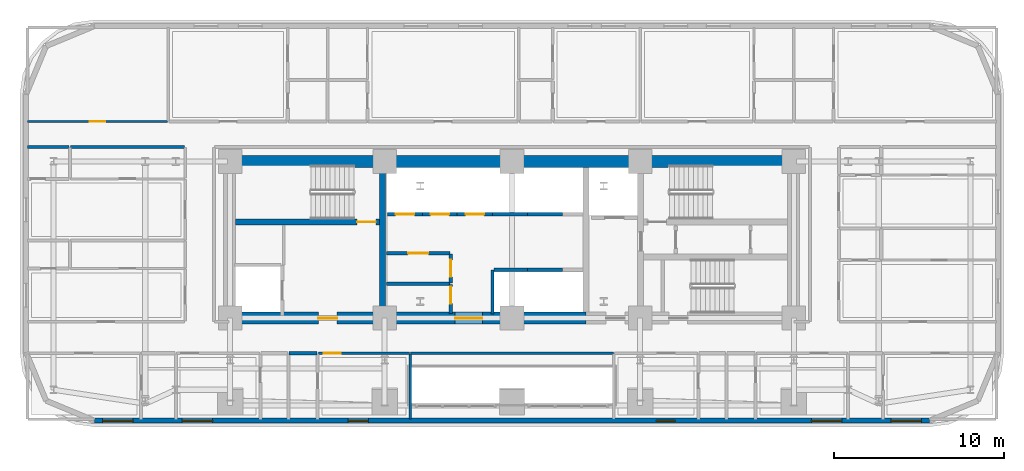
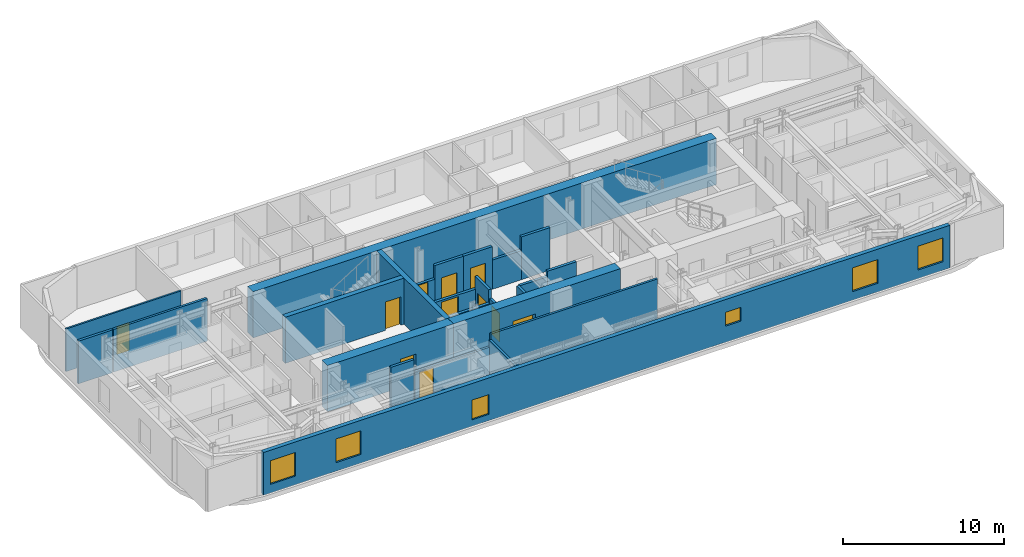
# One storey, part 8 of 15: 25 walls, 11 doors, 6 windows, 17 openings.
"""IFC4 building model written with IfcOpenShell, lengths in metres."""

from ifc_helpers import new_model, si_unit, direction, frame, frame_2d, origin, place, context, subcontext, project, spatial, rectangle, extrude, material, layer, layer_set, type_object, element, fill, save


model = new_model("IFC4")

# Units and contexts
model_context = context("Model", 3, precision=1e-05, world=origin(), true_north=direction((0.0, 1.0)))
body_context = subcontext(model_context, "Body", "Model", "MODEL_VIEW")
ifc_project = project(units=[si_unit("LENGTHUNIT", "METRE"), si_unit("AREAUNIT", "SQUARE_METRE"), si_unit("VOLUMEUNIT", "CUBIC_METRE"), si_unit("PLANEANGLEUNIT", "RADIAN"), si_unit("MASSUNIT", "GRAM", prefix="KILO")], contexts=[model_context])

# Site, building, storey
site_placement = place(None, origin())
site = spatial("IfcSite", under=ifc_project, at=site_placement, CompositionType="ELEMENT")
building_placement = place(site_placement, origin())
building = spatial("IfcBuilding", under=site, at=building_placement, Name="Zarnavel Station Tower", CompositionType="ELEMENT")
storey_placement = place(building_placement, frame((0.0, 0.0, 36.0)))
storey = spatial("IfcBuildingStorey", under=building, at=storey_placement, Name="L09", CompositionType="ELEMENT", Elevation=36.0)

# Wall
ifc_material_1 = material(Name="Concrete C50/60", Category="concrete")
ifc_layer_1 = layer(ifc_material_1, 0.35009765625)
ifc_layer_set_1 = layer_set([ifc_layer_1], Name="CW_350")
wall_type_1 = type_object("IfcWallType", Name="CW_350", PredefinedType="SHEAR", material=ifc_layer_set_1)
wall_1_placement = place(storey_placement, frame((21.179931640625, 28.169921875, 0.0), z_axis=(0.0, 0.0, 1.0), x_axis=(0.0, 1.0, 0.0)))
element("IfcWall", 1, at=wall_1_placement, inside=storey, type_object=wall_type_1, Name="L09 Rear Core Shear Wall DIV-W", PredefinedType="SHEAR", context=body_context, shape_type="SweptSolid", body=[
    extrude(rectangle(XDim=8.530029296875, YDim=0.35009765625, at=frame_2d((4.26513671875, 0.0))), origin(), (0.0, 0.0, 1.0), 3.5),
])

# Wall, opening, door
wall_2_placement = place(storey_placement, frame((21.0048828125, 33.47998046875, 0.0), z_axis=(0.0, 0.0, 1.0), x_axis=(-1.0, 0.0, 0.0)))
wall_2 = element("IfcWall", 2, at=wall_2_placement, inside=storey, type_object=wall_type_1, Name="L09 Rear Core Shear Wall DIV-H1", PredefinedType="SHEAR", context=body_context, shape_type="SweptSolid", body=[
    extrude(rectangle(XDim=8.5048828125, YDim=0.35009765625, at=frame_2d((4.25244140625, 0.0))), origin(), (0.0, 0.0, 1.0), 3.5),
])
opening_1_placement = place(wall_2_placement, frame((0.219970703125, 0.0, 0.0)))
opening_1 = element("IfcOpeningElement", 3, at=opening_1_placement, cuts=wall_2, Name="Opening FD01", PredefinedType="OPENING", context=body_context, shape_type="SweptSolid", body=[
    extrude(rectangle(XDim=1.10009765625, YDim=2.14990234375, at=frame_2d((0.550048828125, 1.074951171875))), frame((0.0, 0.18505859375, 0.0), z_axis=(0.0, -1.0, 0.0), x_axis=(1.0, 0.0, 0.0)), (0.0, 0.0, 1.0), 0.3701171875),
])
ifc_material_2 = material(Name="Painted Galvanised Steel and Hardwood Leaf", Category="steel")
door_type_1 = type_object("IfcDoorType", Name="ID_STAIR_1100", OperationType="NOTDEFINED", PredefinedType="DOOR", material=ifc_material_2)
door_1_placement = place(opening_1_placement, origin())
door_1 = element("IfcDoor", 4, at=door_1_placement, inside=storey, type_object=door_type_1, Name="L09 Stair ST1 Lobby Fire Door", OperationType="SINGLE_SWING_LEFT", OverallHeight=2.14990234375, OverallWidth=1.10009765625, PredefinedType="DOOR", context=body_context, shape_type="SweptSolid", body=[
    extrude(rectangle(XDim=1.10009765625, YDim=2.14990234375, at=frame_2d((0.550048828125, 1.074951171875))), frame((0.0, 0.02490234375, 0.0), z_axis=(0.0, -1.0, 0.0), x_axis=(1.0, 0.0, 0.0)), (0.0, 0.0, 1.0), 0.050048828125),
])
fill(opening_1, door_1)

# Wall
ifc_material_3 = material(Name="Concrete C60/75", Category="concrete")
ifc_layer_2 = layer(ifc_material_3, 0.699951171875)
ifc_layer_set_2 = layer_set([ifc_layer_2], Name="CW_700")
wall_type_2 = type_object("IfcWallType", Name="CW_700", PredefinedType="SHEAR", material=ifc_layer_set_2)
wall_3_placement = place(storey_placement, frame((12.14990234375, 37.050048828125, 0.0), z_axis=(0.0, 0.0, 1.0), x_axis=(1.0, 0.0, 0.0)))
element("IfcWall", 5, at=wall_3_placement, inside=storey, type_object=wall_type_2, Name="L09 Rear Core Shear Wall N", PredefinedType="SHEAR", context=body_context, shape_type="SweptSolid", body=[
    extrude(rectangle(XDim=33.22998046875, YDim=0.699951171875, at=frame_2d((16.614990234375, 0.0))), origin(), (0.0, 0.0, 1.0), 3.5),
])

# Wall, opening, door
wall_4_placement = place(storey_placement, frame((21.179931640625, 27.820068359375, 0.0), z_axis=(0.0, 0.0, 1.0), x_axis=(-1.0, 0.0, 0.0)))
wall_4 = element("IfcWall", 6, at=wall_4_placement, inside=storey, type_object=wall_type_2, Name="L09 Rear Core Shear Wall S-W", PredefinedType="SHEAR", context=body_context, shape_type="SweptSolid", body=[
    extrude(rectangle(XDim=9.030029296875, YDim=0.699951171875, at=frame_2d((4.51513671875, 0.0))), origin(), (0.0, 0.0, 1.0), 3.5),
])
opening_2_placement = place(wall_4_placement, frame((2.679931640625, 0.0, 0.0)))
opening_2 = element("IfcOpeningElement", 7, at=opening_2_placement, cuts=wall_4, Name="Opening FD01", PredefinedType="OPENING", context=body_context, shape_type="SweptSolid", body=[
    extrude(rectangle(XDim=1.10009765625, YDim=2.14990234375, at=frame_2d((0.550048828125, 1.074951171875))), frame((0.0, 0.35986328125, 0.0), z_axis=(0.0, -1.0, 0.0), x_axis=(1.0, 0.0, 0.0)), (0.0, 0.0, 1.0), 0.719970703125),
])
door_2_placement = place(opening_2_placement, origin())
door_2 = element("IfcDoor", 8, at=door_2_placement, inside=storey, type_object=door_type_1, Name="L09 West Firefighting Lobby Door", OperationType="SINGLE_SWING_RIGHT", OverallHeight=2.14990234375, OverallWidth=1.10009765625, PredefinedType="DOOR", context=body_context, shape_type="SweptSolid", body=[
    extrude(rectangle(XDim=1.10009765625, YDim=2.14990234375, at=frame_2d((0.550048828125, 1.074951171875))), frame((0.0, 0.02490234375, 0.0), z_axis=(0.0, -1.0, 0.0), x_axis=(1.0, 0.0, 0.0)), (0.0, 0.0, 1.0), 0.050048828125),
])
fill(opening_2, door_2)

wall_5_placement = place(storey_placement, frame((33.14990234375, 27.820068359375, 0.0), z_axis=(0.0, 0.0, 1.0), x_axis=(-1.0, 0.0, 0.0)))
wall_5 = element("IfcWall", 9, at=wall_5_placement, inside=storey, type_object=wall_type_2, Name="L09 Rear Core Shear Wall S-M", PredefinedType="SHEAR", context=body_context, shape_type="SweptSolid", body=[
    extrude(rectangle(XDim=11.969970703125, YDim=0.699951171875, at=frame_2d((5.98486328125, 0.0))), origin(), (0.0, 0.0, 1.0), 3.5),
])
opening_3_placement = place(wall_5_placement, frame((6.10009765625, 0.0, 0.0)))
opening_3 = element("IfcOpeningElement", 10, at=opening_3_placement, cuts=wall_5, Name="Opening ID03", PredefinedType="OPENING", context=body_context, shape_type="SweptSolid", body=[
    extrude(rectangle(XDim=1.60009765625, YDim=2.199951171875, at=frame_2d((0.800048828125, 1.10009765625))), frame((0.0, 0.35986328125, 0.0), z_axis=(0.0, -1.0, 0.0), x_axis=(1.0, 0.0, 0.0)), (0.0, 0.0, 1.0), 0.719970703125),
])
ifc_material_4 = material(Name="Painted Galvanised Steel and Hardwood Leaf", Category="steel")
door_type_2 = type_object("IfcDoorType", Name="ID_PUBLIC_1600", OperationType="DOUBLE_DOOR_SINGLE_SWING", PredefinedType="DOOR", material=ifc_material_4)
door_3_placement = place(opening_3_placement, origin())
door_3 = element("IfcDoor", 11, at=door_3_placement, inside=storey, type_object=door_type_2, Name="L09 Passenger Lift Lobby Double Door", OperationType="SINGLE_SWING_LEFT", OverallHeight=2.199951171875, OverallWidth=1.60009765625, PredefinedType="DOOR", context=body_context, shape_type="SweptSolid", body=[
    extrude(rectangle(XDim=1.60009765625, YDim=2.199951171875, at=frame_2d((0.800048828125, 1.10009765625))), frame((0.0, 0.02490234375, 0.0), z_axis=(0.0, -1.0, 0.0), x_axis=(1.0, 0.0, 0.0)), (0.0, 0.0, 1.0), 0.050048828125),
])
fill(opening_3, door_3)

# Wall, openings, windows
ifc_material_5 = material(Name="Precast concrete C45/55 (Dark Basalt Finish)", Category="masonry")
ifc_layer_3 = layer(ifc_material_5, 0.300048828125)
ifc_layer_set_3 = layer_set([ifc_layer_3], Name="EW_BASALT_300")
wall_type_3 = type_object("IfcWallType", Name="EW_BASALT_300", PredefinedType="SOLIDWALL", material=ifc_layer_set_3)
wall_6_placement = place(storey_placement, frame((53.39990234375, 21.780029296875, 0.0), z_axis=(0.0, 0.0, 1.0), x_axis=(-1.0, 0.0, 0.0)))
wall_6 = element("IfcWall", 12, at=wall_6_placement, inside=storey, type_object=wall_type_3, Name="L09 Exterior Basalt Masonry Frame Wall 12", PredefinedType="SOLIDWALL", context=body_context, shape_type="SweptSolid", body=[
    extrude(rectangle(XDim=49.199951171875, YDim=0.300048828125, at=frame_2d((24.60009765625, 0.0))), origin(), (0.0, 0.0, 1.0), 3.239990234375),
])
opening_4_placement = place(wall_6_placement, frame((46.9150390625, 0.0, 0.64990234375)))
opening_4 = element("IfcOpeningElement", 13, at=opening_4_placement, cuts=wall_6, Name="Opening WN02", PredefinedType="OPENING", context=body_context, shape_type="SweptSolid", body=[
    extrude(rectangle(XDim=1.800048828125, YDim=1.800048828125, at=frame_2d((0.89990234375, 0.89990234375))), frame((0.0, 0.159912109375, 0.0), z_axis=(0.0, -1.0, 0.0), x_axis=(1.0, 0.0, 0.0)), (0.0, 0.0, 1.0), 0.320068359375),
])
opening_5_placement = place(wall_6_placement, frame((42.227294921875, 0.0, 0.64990234375)))
opening_5 = element("IfcOpeningElement", 14, at=opening_5_placement, cuts=wall_6, Name="Opening WN02", PredefinedType="OPENING", context=body_context, shape_type="SweptSolid", body=[
    extrude(rectangle(XDim=1.800048828125, YDim=1.800048828125, at=frame_2d((0.89990234375, 0.89990234375))), frame((0.0, 0.159912109375, 0.0), z_axis=(0.0, -1.0, 0.0), x_axis=(1.0, 0.0, 0.0)), (0.0, 0.0, 1.0), 0.320068359375),
])
opening_6_placement = place(wall_6_placement, frame((33.054931640625, 0.0, 0.47998046875)))
opening_6 = element("IfcOpeningElement", 15, at=opening_6_placement, cuts=wall_6, Name="Opening WN08", PredefinedType="OPENING", context=body_context, shape_type="SweptSolid", body=[
    extrude(rectangle(XDim=1.199951171875, YDim=1.5, at=frame_2d((0.60009765625, 0.75))), frame((0.0, 0.159912109375, 0.0), z_axis=(0.0, -1.0, 0.0), x_axis=(1.0, 0.0, 0.0)), (0.0, 0.0, 1.0), 0.320068359375),
])
opening_7_placement = place(wall_6_placement, frame((14.9951171875, 0.0, 1.219970703125)))
opening_7 = element("IfcOpeningElement", 16, at=opening_7_placement, cuts=wall_6, Name="Opening WN09", PredefinedType="OPENING", context=body_context, shape_type="SweptSolid", body=[
    extrude(rectangle(XDim=1.10009765625, YDim=1.050048828125, at=frame_2d((0.550048828125, 0.52490234375))), frame((0.0, 0.159912109375, 0.0), z_axis=(0.0, -1.0, 0.0), x_axis=(1.0, 0.0, 0.0)), (0.0, 0.0, 1.0), 0.320068359375),
])
opening_8_placement = place(wall_6_placement, frame((5.172607421875, 0.0, 0.64990234375)))
opening_8 = element("IfcOpeningElement", 17, at=opening_8_placement, cuts=wall_6, Name="Opening WN02", PredefinedType="OPENING", context=body_context, shape_type="SweptSolid", body=[
    extrude(rectangle(XDim=1.800048828125, YDim=1.800048828125, at=frame_2d((0.89990234375, 0.89990234375))), frame((0.0, 0.159912109375, 0.0), z_axis=(0.0, -1.0, 0.0), x_axis=(1.0, 0.0, 0.0)), (0.0, 0.0, 1.0), 0.320068359375),
])
opening_9_placement = place(wall_6_placement, frame((0.485107421875, 0.0, 0.64990234375)))
opening_9 = element("IfcOpeningElement", 18, at=opening_9_placement, cuts=wall_6, Name="Opening WN02", PredefinedType="OPENING", context=body_context, shape_type="SweptSolid", body=[
    extrude(rectangle(XDim=1.800048828125, YDim=1.800048828125, at=frame_2d((0.89990234375, 0.89990234375))), frame((0.0, 0.159912109375, 0.0), z_axis=(0.0, -1.0, 0.0), x_axis=(1.0, 0.0, 0.0)), (0.0, 0.0, 1.0), 0.320068359375),
])
ifc_material_6 = material(Name="Thermally Broken Black Aluminium and Low-E Dark Glass", Category="aluminium")
window_type_1 = type_object("IfcWindowType", Name="WN_1100x1050", PartitioningType="SINGLE_PANEL", PredefinedType="WINDOW", material=ifc_material_6)
window_1_placement = place(opening_7_placement, origin())
window_1 = element("IfcWindow", 19, at=window_1_placement, inside=storey, type_object=window_type_1, Name="L09 Recessed Facade Window 04", OverallHeight=1.050048828125, OverallWidth=1.10009765625, PartitioningType="SINGLE_PANEL", PredefinedType="WINDOW", context=body_context, shape_type="SweptSolid", body=[
    extrude(rectangle(XDim=1.10009765625, YDim=1.050048828125, at=frame_2d((0.550048828125, 0.52490234375))), frame((0.0, 0.030029296875, 0.0), z_axis=(0.0, -1.0, 0.0), x_axis=(1.0, 0.0, 0.0)), (0.0, 0.0, 1.0), 0.06005859375),
])
fill(opening_7, window_1)
ifc_material_7 = material(Name="Thermally Broken Black Aluminium and Low-E Dark Glass", Category="aluminium")
window_type_2 = type_object("IfcWindowType", Name="WN_1200x1500", PartitioningType="SINGLE_PANEL", PredefinedType="WINDOW", material=ifc_material_7)
window_2_placement = place(opening_6_placement, origin())
window_2 = element("IfcWindow", 20, at=window_2_placement, inside=storey, type_object=window_type_2, Name="L09 Recessed Facade Window 03", OverallHeight=1.5, OverallWidth=1.199951171875, PartitioningType="SINGLE_PANEL", PredefinedType="WINDOW", context=body_context, shape_type="SweptSolid", body=[
    extrude(rectangle(XDim=1.199951171875, YDim=1.5, at=frame_2d((0.60009765625, 0.75))), frame((0.0, 0.030029296875, 0.0), z_axis=(0.0, -1.0, 0.0), x_axis=(1.0, 0.0, 0.0)), (0.0, 0.0, 1.0), 0.06005859375),
])
fill(opening_6, window_2)
ifc_material_8 = material(Name="Thermally Broken Black Aluminium and Low-E Dark Glass", Category="aluminium")
window_type_3 = type_object("IfcWindowType", Name="WN_1800x1800", PartitioningType="DOUBLE_PANEL_VERTICAL", PredefinedType="WINDOW", material=ifc_material_8)
window_3_placement = place(opening_4_placement, origin())
window_3 = element("IfcWindow", 21, at=window_3_placement, inside=storey, type_object=window_type_3, Name="L09 Recessed Facade Window 01", OverallHeight=1.800048828125, OverallWidth=1.800048828125, PartitioningType="SINGLE_PANEL", PredefinedType="WINDOW", context=body_context, shape_type="SweptSolid", body=[
    extrude(rectangle(XDim=1.800048828125, YDim=1.800048828125, at=frame_2d((0.89990234375, 0.89990234375))), frame((0.0, 0.030029296875, 0.0), z_axis=(0.0, -1.0, 0.0), x_axis=(1.0, 0.0, 0.0)), (0.0, 0.0, 1.0), 0.06005859375),
])
fill(opening_4, window_3)
window_4_placement = place(opening_5_placement, origin())
window_4 = element("IfcWindow", 22, at=window_4_placement, inside=storey, type_object=window_type_3, Name="L09 Recessed Facade Window 02", OverallHeight=1.800048828125, OverallWidth=1.800048828125, PartitioningType="SINGLE_PANEL", PredefinedType="WINDOW", context=body_context, shape_type="SweptSolid", body=[
    extrude(rectangle(XDim=1.800048828125, YDim=1.800048828125, at=frame_2d((0.89990234375, 0.89990234375))), frame((0.0, 0.030029296875, 0.0), z_axis=(0.0, -1.0, 0.0), x_axis=(1.0, 0.0, 0.0)), (0.0, 0.0, 1.0), 0.06005859375),
])
fill(opening_5, window_4)
window_5_placement = place(opening_8_placement, origin())
window_5 = element("IfcWindow", 23, at=window_5_placement, inside=storey, type_object=window_type_3, Name="L09 Recessed Facade Window 05", OverallHeight=1.800048828125, OverallWidth=1.800048828125, PartitioningType="SINGLE_PANEL", PredefinedType="WINDOW", context=body_context, shape_type="SweptSolid", body=[
    extrude(rectangle(XDim=1.800048828125, YDim=1.800048828125, at=frame_2d((0.89990234375, 0.89990234375))), frame((0.0, 0.030029296875, 0.0), z_axis=(0.0, -1.0, 0.0), x_axis=(1.0, 0.0, 0.0)), (0.0, 0.0, 1.0), 0.06005859375),
])
fill(opening_8, window_5)
window_6_placement = place(opening_9_placement, origin())
window_6 = element("IfcWindow", 24, at=window_6_placement, inside=storey, type_object=window_type_3, Name="L09 Recessed Facade Window 06", OverallHeight=1.800048828125, OverallWidth=1.800048828125, PartitioningType="SINGLE_PANEL", PredefinedType="WINDOW", context=body_context, shape_type="SweptSolid", body=[
    extrude(rectangle(XDim=1.800048828125, YDim=1.800048828125, at=frame_2d((0.89990234375, 0.89990234375))), frame((0.0, 0.030029296875, 0.0), z_axis=(0.0, -1.0, 0.0), x_axis=(1.0, 0.0, 0.0)), (0.0, 0.0, 1.0), 0.06005859375),
])
fill(opening_9, window_6)

# Wall, opening, door
ifc_material_9 = material(Name="Gypsum Twin-Stud Acoustic Fire Partition", Category="concrete")
ifc_layer_4 = layer(ifc_material_9, 0.159912109375)
ifc_layer_set_4 = layer_set([ifc_layer_4], Name="PT_DEMISE_160")
wall_type_4 = type_object("IfcWallType", Name="PT_DEMISE_160", PredefinedType="PARTITIONING", material=ifc_layer_set_4)
wall_7_placement = place(storey_placement, frame((17.389892578125, 25.75, 0.0), z_axis=(0.0, 0.0, 1.0), x_axis=(1.0, 0.0, 0.0)))
wall_7 = element("IfcWall", 25, at=wall_7_placement, inside=storey, type_object=wall_type_4, Name="L09 Partition COR-S-HW3R", PredefinedType="PARTITIONING", context=body_context, shape_type="SweptSolid", body=[
    extrude(rectangle(XDim=5.3701171875, YDim=0.159912109375, at=frame_2d((2.68505859375, 0.0))), origin(), (0.0, 0.0, 1.0), 2.280029296875),
])
opening_10_placement = place(wall_7_placement, frame((0.310302734375, 0.0, 0.0)))
opening_10 = element("IfcOpeningElement", 26, at=opening_10_placement, cuts=wall_7, Name="Opening FD02", PredefinedType="OPENING", context=body_context, shape_type="SweptSolid", body=[
    extrude(rectangle(XDim=1.0, YDim=2.14990234375, at=frame_2d((0.5, 1.074951171875))), frame((0.0, 0.08984375, 0.0), z_axis=(0.0, -1.0, 0.0), x_axis=(1.0, 0.0, 0.0)), (0.0, 0.0, 1.0), 0.179931640625),
])
ifc_material_10 = material(Name="Painted Galvanised Steel and Hardwood Leaf", Category="steel")
door_type_3 = type_object("IfcDoorType", Name="ID_ENTRY_1000", OperationType="NOTDEFINED", PredefinedType="DOOR", material=ifc_material_10)
door_4_placement = place(opening_10_placement, origin())
door_4 = element("IfcDoor", 27, at=door_4_placement, inside=storey, type_object=door_type_3, Name="L09 Door COR-S-HW3R", OperationType="SINGLE_SWING_RIGHT", OverallHeight=2.14990234375, OverallWidth=1.0, PredefinedType="DOOR", context=body_context, shape_type="SweptSolid", body=[
    extrude(rectangle(XDim=1.0, YDim=2.14990234375, at=frame_2d((0.5, 1.074951171875))), frame((0.0, 0.02490234375, 0.0), z_axis=(0.0, -1.0, 0.0), x_axis=(1.0, 0.0, 0.0)), (0.0, 0.0, 1.0), 0.050048828125),
])
fill(opening_10, door_4)

# Walls
wall_8_placement = place(storey_placement, frame((2.800048828125, 37.89990234375, 0.0), z_axis=(0.0, 0.0, 1.0), x_axis=(1.0, 0.0, 0.0)))
element("IfcWall", 28, at=wall_8_placement, inside=storey, type_object=wall_type_4, Name="L09 Partition COR-N-FNW2S", PredefinedType="PARTITIONING", context=body_context, shape_type="SweptSolid", body=[
    extrude(rectangle(XDim=6.7099609375, YDim=0.159912109375, at=frame_2d((3.35498046875, 0.0))), origin(), (0.0, 0.0, 1.0), 3.239990234375),
])
wall_9_placement = place(storey_placement, frame((22.830078125, 25.75, 0.0), z_axis=(0.0, 0.0, 1.0), x_axis=(1.0, 0.0, 0.0)))
element("IfcWall", 29, at=wall_9_placement, inside=storey, type_object=wall_type_4, Name="L09 Enclosure Wall COR-S", PredefinedType="PARTITIONING", context=body_context, shape_type="SweptSolid", body=[
    extrude(rectangle(XDim=11.93994140625, YDim=0.159912109375, at=frame_2d((5.969970703125, 0.0))), origin(), (0.0, 0.0, 1.0), 3.239990234375),
])
wall_10_placement = place(storey_placement, frame((22.800048828125, 21.889892578125, 0.0), z_axis=(0.0, 0.0, 1.0), x_axis=(0.0, 1.0, 0.0)))
element("IfcWall", 30, at=wall_10_placement, inside=storey, type_object=wall_type_4, Name="L09 Enclosure Wall HW3R", PredefinedType="PARTITIONING", context=body_context, shape_type="SweptSolid", body=[
    extrude(rectangle(XDim=3.830078125, YDim=0.159912109375, at=frame_2d((1.9150390625, 0.0))), origin(), (0.0, 0.0, 1.0), 2.820068359375),
])

# Wall, opening, door
ifc_material_11 = material(Name="Gypsum Metal-Stud Interior Partition", Category="concrete")
ifc_layer_5 = layer(ifc_material_11, 0.1201171875)
ifc_layer_set_5 = layer_set([ifc_layer_5], Name="PT_ROOM_120")
wall_type_5 = type_object("IfcWallType", Name="PT_ROOM_120", PredefinedType="PARTITIONING", material=ifc_layer_set_5)
wall_11_placement = place(storey_placement, frame((0.260009765625, 39.39990234375, 0.0), z_axis=(0.0, 0.0, 1.0), x_axis=(1.0, 0.0, 0.0)))
wall_11 = element("IfcWall", 31, at=wall_11_placement, inside=storey, type_object=wall_type_5, Name="L09 Partition COR-N-HSKP", PredefinedType="PARTITIONING", context=body_context, shape_type="SweptSolid", body=[
    extrude(rectangle(XDim=8.260009765625, YDim=0.1201171875, at=frame_2d((4.1298828125, 0.0))), origin(), (0.0, 0.0, 1.0), 3.239990234375),
])
opening_11_placement = place(wall_11_placement, frame((3.679931640625, 0.0, 0.0)))
opening_11 = element("IfcOpeningElement", 32, at=opening_11_placement, cuts=wall_11, Name="Opening ID01", PredefinedType="OPENING", context=body_context, shape_type="SweptSolid", body=[
    extrude(rectangle(XDim=0.89990234375, YDim=2.10009765625, at=frame_2d((0.449951171875, 1.050048828125))), frame((0.0, 0.070068359375, 0.0), z_axis=(0.0, -1.0, 0.0), x_axis=(1.0, 0.0, 0.0)), (0.0, 0.0, 1.0), 0.14013671875),
])
ifc_material_12 = material(Name="Painted Galvanised Steel and Hardwood Leaf", Category="steel")
door_type_4 = type_object("IfcDoorType", Name="ID_ROOM_900", OperationType="NOTDEFINED", PredefinedType="DOOR", material=ifc_material_12)
door_5_placement = place(opening_11_placement, origin())
door_5 = element("IfcDoor", 33, at=door_5_placement, inside=storey, type_object=door_type_4, Name="L09 Door COR-N-HSKP", OperationType="SINGLE_SWING_RIGHT", OverallHeight=2.10009765625, OverallWidth=0.89990234375, PredefinedType="DOOR", context=body_context, shape_type="SweptSolid", body=[
    extrude(rectangle(XDim=0.89990234375, YDim=2.10009765625, at=frame_2d((0.449951171875, 1.050048828125))), frame((0.0, 0.02490234375, 0.0), z_axis=(0.0, -1.0, 0.0), x_axis=(1.0, 0.0, 0.0)), (0.0, 0.0, 1.0), 0.050048828125),
])
fill(opening_11, door_5)

# Walls
ifc_material_13 = material(Name="Precast concrete C45/55 (Fire Shaft Blockwork)", Category="masonry")
ifc_layer_6 = layer(ifc_material_13, 0.199951171875)
ifc_layer_set_6 = layer_set([ifc_layer_6], Name="PT_SHAFT_200")
wall_type_6 = type_object("IfcWallType", Name="PT_SHAFT_200", PredefinedType="PARTITIONING", material=ifc_layer_set_6)
wall_12_placement = place(storey_placement, frame((27.75, 30.669921875, 0.0), z_axis=(0.0, 0.0, 1.0), x_axis=(1.0, 0.0, 0.0)))
element("IfcWall", 34, at=wall_12_placement, inside=storey, type_object=wall_type_6, Name="L09 Lift PL-H1 Shaft Front Wall", PredefinedType="PARTITIONING", context=body_context, shape_type="SweptSolid", body=[
    extrude(rectangle(XDim=1.97509765625, YDim=0.199951171875, at=frame_2d((0.987548828125, 0.0))), origin(), (0.0, 0.0, 1.0), 2.2119140625),
])
wall_13_placement = place(storey_placement, frame((27.64990234375, 28.070068359375, 0.0), z_axis=(0.0, 0.0, 1.0), x_axis=(0.0, 1.0, 0.0)))
element("IfcWall", 35, at=wall_13_placement, inside=storey, type_object=wall_type_6, Name="L09 High-Rise Lift Bank West Shaft Wall", PredefinedType="PARTITIONING", context=body_context, shape_type="SweptSolid", body=[
    extrude(rectangle(XDim=2.579833984375, YDim=0.199951171875, at=frame_2d((1.2900390625, 0.0))), origin(), (0.0, 0.0, 1.0), 2.2119140625),
])
wall_14_placement = place(storey_placement, frame((29.72509765625, 30.669921875, 0.0), z_axis=(0.0, 0.0, 1.0), x_axis=(1.0, 0.0, 0.0)))
element("IfcWall", 36, at=wall_14_placement, inside=storey, type_object=wall_type_6, Name="L09 Lift PL-H2 Shaft Front Wall", PredefinedType="PARTITIONING", context=body_context, shape_type="SweptSolid", body=[
    extrude(rectangle(XDim=2.0498046875, YDim=0.199951171875, at=frame_2d((1.02490234375, 0.0))), origin(), (0.0, 0.0, 1.0), 2.6201171875),
])

# Wall, opening, door
wall_15_placement = place(storey_placement, frame((21.4599609375, 33.929931640625, 0.0), z_axis=(0.0, 0.0, 1.0), x_axis=(1.0, 0.0, 0.0)))
wall_15 = element("IfcWall", 37, at=wall_15_placement, inside=storey, type_object=wall_type_6, Name="L09 Lift PL-L1 Shaft Front Wall", PredefinedType="PARTITIONING", context=body_context, shape_type="SweptSolid", body=[
    extrude(rectangle(XDim=2.06494140625, YDim=0.199951171875, at=frame_2d((1.032470703125, 0.0))), origin(), (0.0, 0.0, 1.0), 2.2119140625),
])
opening_12_placement = place(wall_15_placement, frame((0.482421875, 0.0, 0.0)))
opening_12 = element("IfcOpeningElement", 38, at=opening_12_placement, cuts=wall_15, Name="Opening LD02", PredefinedType="OPENING", context=body_context, shape_type="SweptSolid", body=[
    extrude(rectangle(XDim=1.10009765625, YDim=2.14990234375, at=frame_2d((0.550048828125, 1.074951171875))), frame((0.0, 0.10986328125, 0.0), z_axis=(0.0, -1.0, 0.0), x_axis=(1.0, 0.0, 0.0)), (0.0, 0.0, 1.0), 0.219970703125),
])
ifc_material_14 = material(Name="Painted Galvanised Steel and Hardwood Leaf", Category="steel")
door_type_5 = type_object("IfcDoorType", Name="LD_PAX_1100", OperationType="DOUBLE_DOOR_SLIDING", PredefinedType="DOOR", material=ifc_material_14)
door_6_placement = place(opening_12_placement, origin())
door_6 = element("IfcDoor", 39, at=door_6_placement, inside=storey, type_object=door_type_5, Name="L09 Lift PL-L1 Sliding Landing Door", OperationType="DOUBLE_DOOR_SLIDING", OverallHeight=2.14990234375, OverallWidth=1.10009765625, PredefinedType="DOOR", context=body_context, shape_type="SweptSolid", body=[
    extrude(rectangle(XDim=1.10009765625, YDim=2.14990234375, at=frame_2d((0.550048828125, 1.074951171875))), frame((0.0, 0.02490234375, 0.0), z_axis=(0.0, -1.0, 0.0), x_axis=(1.0, 0.0, 0.0)), (0.0, 0.0, 1.0), 0.050048828125),
])
fill(opening_12, door_6)

wall_16_placement = place(storey_placement, frame((23.52490234375, 33.929931640625, 0.0), z_axis=(0.0, 0.0, 1.0), x_axis=(1.0, 0.0, 0.0)))
wall_16 = element("IfcWall", 40, at=wall_16_placement, inside=storey, type_object=wall_type_6, Name="L09 Lift PL-L2 Shaft Front Wall", PredefinedType="PARTITIONING", context=body_context, shape_type="SweptSolid", body=[
    extrude(rectangle(XDim=2.050048828125, YDim=0.199951171875, at=frame_2d((1.02490234375, 0.0))), origin(), (0.0, 0.0, 1.0), 3.239990234375),
])
opening_13_placement = place(wall_16_placement, frame((0.47509765625, 0.0, 0.0)))
opening_13 = element("IfcOpeningElement", 41, at=opening_13_placement, cuts=wall_16, Name="Opening LD02", PredefinedType="OPENING", context=body_context, shape_type="SweptSolid", body=[
    extrude(rectangle(XDim=1.10009765625, YDim=2.14990234375, at=frame_2d((0.550048828125, 1.074951171875))), frame((0.0, 0.10986328125, 0.0), z_axis=(0.0, -1.0, 0.0), x_axis=(1.0, 0.0, 0.0)), (0.0, 0.0, 1.0), 0.219970703125),
])
door_7_placement = place(opening_13_placement, origin())
door_7 = element("IfcDoor", 42, at=door_7_placement, inside=storey, type_object=door_type_5, Name="L09 Lift PL-L2 Sliding Landing Door", OperationType="DOUBLE_DOOR_SLIDING", OverallHeight=2.14990234375, OverallWidth=1.10009765625, PredefinedType="DOOR", context=body_context, shape_type="SweptSolid", body=[
    extrude(rectangle(XDim=1.10009765625, YDim=2.14990234375, at=frame_2d((0.550048828125, 1.074951171875))), frame((0.0, 0.02490234375, 0.0), z_axis=(0.0, -1.0, 0.0), x_axis=(1.0, 0.0, 0.0)), (0.0, 0.0, 1.0), 0.050048828125),
])
fill(opening_13, door_7)

wall_17_placement = place(storey_placement, frame((25.574951171875, 33.929931640625, 0.0), z_axis=(0.0, 0.0, 1.0), x_axis=(1.0, 0.0, 0.0)))
wall_17 = element("IfcWall", 43, at=wall_17_placement, inside=storey, type_object=wall_type_6, Name="L09 Lift PL-L3 Shaft Front Wall", PredefinedType="PARTITIONING", context=body_context, shape_type="SweptSolid", body=[
    extrude(rectangle(XDim=2.074951171875, YDim=0.199951171875, at=frame_2d((1.03759765625, 0.0))), origin(), (0.0, 0.0, 1.0), 3.239990234375),
])
opening_14_placement = place(wall_17_placement, frame((0.487548828125, 0.0, 0.0)))
opening_14 = element("IfcOpeningElement", 44, at=opening_14_placement, cuts=wall_17, Name="Opening LD02", PredefinedType="OPENING", context=body_context, shape_type="SweptSolid", body=[
    extrude(rectangle(XDim=1.10009765625, YDim=2.14990234375, at=frame_2d((0.550048828125, 1.074951171875))), frame((0.0, 0.10986328125, 0.0), z_axis=(0.0, -1.0, 0.0), x_axis=(1.0, 0.0, 0.0)), (0.0, 0.0, 1.0), 0.219970703125),
])
door_8_placement = place(opening_14_placement, origin())
door_8 = element("IfcDoor", 45, at=door_8_placement, inside=storey, type_object=door_type_5, Name="L09 Lift PL-L3 Sliding Landing Door", OperationType="DOUBLE_DOOR_SLIDING", OverallHeight=2.14990234375, OverallWidth=1.10009765625, PredefinedType="DOOR", context=body_context, shape_type="SweptSolid", body=[
    extrude(rectangle(XDim=1.10009765625, YDim=2.14990234375, at=frame_2d((0.550048828125, 1.074951171875))), frame((0.0, 0.02490234375, 0.0), z_axis=(0.0, -1.0, 0.0), x_axis=(1.0, 0.0, 0.0)), (0.0, 0.0, 1.0), 0.050048828125),
])
fill(opening_14, door_8)

# Walls
wall_18_placement = place(storey_placement, frame((27.64990234375, 33.929931640625, 0.0), z_axis=(0.0, 0.0, 1.0), x_axis=(1.0, 0.0, 0.0)))
element("IfcWall", 46, at=wall_18_placement, inside=storey, type_object=wall_type_6, Name="L09 Lift PL-M1 Shaft Front Wall", PredefinedType="PARTITIONING", context=body_context, shape_type="SweptSolid", body=[
    extrude(rectangle(XDim=2.0751953125, YDim=0.199951171875, at=frame_2d((1.03759765625, 0.0))), origin(), (0.0, 0.0, 1.0), 2.2119140625),
])
wall_19_placement = place(storey_placement, frame((29.72509765625, 33.929931640625, 0.0), z_axis=(0.0, 0.0, 1.0), x_axis=(1.0, 0.0, 0.0)))
element("IfcWall", 47, at=wall_19_placement, inside=storey, type_object=wall_type_6, Name="L09 Lift PL-M2 Shaft Front Wall", PredefinedType="PARTITIONING", context=body_context, shape_type="SweptSolid", body=[
    extrude(rectangle(XDim=2.0498046875, YDim=0.199951171875, at=frame_2d((1.02490234375, 0.0))), origin(), (0.0, 0.0, 1.0), 3.239990234375),
])

# Wall, opening, door
wall_20_placement = place(storey_placement, frame((21.39990234375, 31.64990234375, 0.0), z_axis=(0.0, 0.0, 1.0), x_axis=(1.0, 0.0, 0.0)))
wall_20 = element("IfcWall", 48, at=wall_20_placement, inside=storey, type_object=wall_type_6, Name="L09 Partition LLOB-CS2", PredefinedType="PARTITIONING", context=body_context, shape_type="SweptSolid", body=[
    extrude(rectangle(XDim=3.760009765625, YDim=0.199951171875, at=frame_2d((1.8798828125, 0.0))), origin(), (0.0, 0.0, 1.0), 2.280029296875),
])
opening_15_placement = place(wall_20_placement, frame((1.280029296875, 0.0, 0.0)))
opening_15 = element("IfcOpeningElement", 49, at=opening_15_placement, cuts=wall_20, Name="Opening FD03", PredefinedType="OPENING", context=body_context, shape_type="SweptSolid", body=[
    extrude(rectangle(XDim=1.199951171875, YDim=2.14990234375, at=frame_2d((0.60009765625, 1.074951171875))), frame((0.0, 0.10986328125, 0.0), z_axis=(0.0, -1.0, 0.0), x_axis=(1.0, 0.0, 0.0)), (0.0, 0.0, 1.0), 0.219970703125),
])
ifc_material_15 = material(Name="Painted Galvanised Steel and Hardwood Leaf", Category="steel")
door_type_6 = type_object("IfcDoorType", Name="ID_PLANT_1200", OperationType="NOTDEFINED", PredefinedType="DOOR", material=ifc_material_15)
door_9_placement = place(opening_15_placement, origin())
door_9 = element("IfcDoor", 50, at=door_9_placement, inside=storey, type_object=door_type_6, Name="L09 Door LLOB-CS2", OperationType="SINGLE_SWING_LEFT", OverallHeight=2.14990234375, OverallWidth=1.199951171875, PredefinedType="DOOR", context=body_context, shape_type="SweptSolid", body=[
    extrude(rectangle(XDim=1.199951171875, YDim=2.14990234375, at=frame_2d((0.60009765625, 1.074951171875))), frame((0.0, 0.02490234375, 0.0), z_axis=(0.0, -1.0, 0.0), x_axis=(1.0, 0.0, 0.0)), (0.0, 0.0, 1.0), 0.050048828125),
])
fill(opening_15, door_9)

wall_21_placement = place(storey_placement, frame((25.199951171875, 28.090087890625, 0.0), z_axis=(0.0, 0.0, 1.0), x_axis=(0.0, 1.0, 0.0)))
wall_21 = element("IfcWall", 51, at=wall_21_placement, inside=storey, type_object=wall_type_6, Name="L09 Partition LLOBS-CS1", PredefinedType="PARTITIONING", context=body_context, shape_type="SweptSolid", body=[
    extrude(rectangle(XDim=1.719970703125, YDim=0.199951171875, at=frame_2d((0.85986328125, 0.0))), origin(), (0.0, 0.0, 1.0), 2.6201171875),
])
opening_16_placement = place(wall_21_placement, frame((0.580078125, 0.0, 0.0)))
opening_16 = element("IfcOpeningElement", 52, at=opening_16_placement, cuts=wall_21, Name="Opening FD02", PredefinedType="OPENING", context=body_context, shape_type="SweptSolid", body=[
    extrude(rectangle(XDim=1.0, YDim=2.14990234375, at=frame_2d((0.5, 1.074951171875))), frame((0.0, 0.10986328125, 0.0), z_axis=(0.0, -1.0, 0.0), x_axis=(1.0, 0.0, 0.0)), (0.0, 0.0, 1.0), 0.219970703125),
])
door_10_placement = place(opening_16_placement, origin())
door_10 = element("IfcDoor", 53, at=door_10_placement, inside=storey, type_object=door_type_3, Name="L09 Door LLOBS-CS1", OperationType="SINGLE_SWING_RIGHT", OverallHeight=2.14990234375, OverallWidth=1.0, PredefinedType="DOOR", context=body_context, shape_type="SweptSolid", body=[
    extrude(rectangle(XDim=1.0, YDim=2.14990234375, at=frame_2d((0.5, 1.074951171875))), frame((0.0, 0.02490234375, 0.0), z_axis=(0.0, -1.0, 0.0), x_axis=(1.0, 0.0, 0.0)), (0.0, 0.0, 1.0), 0.050048828125),
])
fill(opening_16, door_10)

wall_22_placement = place(storey_placement, frame((25.199951171875, 29.889892578125, 0.0), z_axis=(0.0, 0.0, 1.0), x_axis=(0.0, 1.0, 0.0)))
wall_22 = element("IfcWall", 54, at=wall_22_placement, inside=storey, type_object=wall_type_6, Name="L09 Partition LLOBS-CS2", PredefinedType="PARTITIONING", context=body_context, shape_type="SweptSolid", body=[
    extrude(rectangle(XDim=1.72021484375, YDim=0.199951171875, at=frame_2d((0.860107421875, 0.0))), origin(), (0.0, 0.0, 1.0), 3.239990234375),
])
opening_17_placement = place(wall_22_placement, frame((0.360107421875, 0.0, 0.0)))
opening_17 = element("IfcOpeningElement", 55, at=opening_17_placement, cuts=wall_22, Name="Opening FD02", PredefinedType="OPENING", context=body_context, shape_type="SweptSolid", body=[
    extrude(rectangle(XDim=1.0, YDim=2.14990234375, at=frame_2d((0.5, 1.074951171875))), frame((0.0, 0.10986328125, 0.0), z_axis=(0.0, -1.0, 0.0), x_axis=(1.0, 0.0, 0.0)), (0.0, 0.0, 1.0), 0.219970703125),
])
door_11_placement = place(opening_17_placement, origin())
door_11 = element("IfcDoor", 56, at=door_11_placement, inside=storey, type_object=door_type_3, Name="L09 Door LLOBS-CS2", OperationType="SINGLE_SWING_LEFT", OverallHeight=2.14990234375, OverallWidth=1.0, PredefinedType="DOOR", context=body_context, shape_type="SweptSolid", body=[
    extrude(rectangle(XDim=1.0, YDim=2.14990234375, at=frame_2d((0.5, 1.074951171875))), frame((0.0, 0.02490234375, 0.0), z_axis=(0.0, -1.0, 0.0), x_axis=(1.0, 0.0, 0.0)), (0.0, 0.0, 1.0), 0.050048828125),
])
fill(opening_17, door_11)

# Walls
wall_23_placement = place(storey_placement, frame((21.39990234375, 29.85009765625, 0.0), z_axis=(0.0, 0.0, 1.0), x_axis=(1.0, 0.0, 0.0)))
element("IfcWall", 57, at=wall_23_placement, inside=storey, type_object=wall_type_6, Name="L09 Partition CS1-CS2", PredefinedType="PARTITIONING", context=body_context, shape_type="SweptSolid", body=[
    extrude(rectangle(XDim=3.760009765625, YDim=0.199951171875, at=frame_2d((1.8798828125, 0.0))), origin(), (0.0, 0.0, 1.0), 2.280029296875),
])
ifc_material_16 = material(Name="Moisture-Resistant Plumbing Chase Wall", Category="concrete")
ifc_layer_7 = layer(ifc_material_16, 0.179931640625)
ifc_layer_set_7 = layer_set([ifc_layer_7], Name="PW_PLUMB_180")
wall_type_7 = type_object("IfcWallType", Name="PW_PLUMB_180", PredefinedType="PLUMBINGWALL", material=ifc_layer_set_7)
wall_24_placement = place(storey_placement, frame((15.6689453125, 25.75, 0.0), z_axis=(0.0, 0.0, 1.0), x_axis=(1.0, 0.0, 0.0)))
element("IfcWall", 58, at=wall_24_placement, inside=storey, type_object=wall_type_7, Name="L09 Partition COR-S-HW3B", PredefinedType="PLUMBINGWALL", context=body_context, shape_type="SweptSolid", body=[
    extrude(rectangle(XDim=1.64111328125, YDim=0.179931640625, at=frame_2d((0.820556640625, 0.0))), origin(), (0.0, 0.0, 1.0), 3.239990234375),
])
wall_25_placement = place(storey_placement, frame((0.260009765625, 37.89990234375, 0.0), z_axis=(0.0, 0.0, 1.0), x_axis=(1.0, 0.0, 0.0)))
element("IfcWall", 59, at=wall_25_placement, inside=storey, type_object=wall_type_7, Name="L09 Partition COR-N-FNW2B", PredefinedType="PLUMBINGWALL", context=body_context, shape_type="SweptSolid", body=[
    extrude(rectangle(XDim=2.4599609375, YDim=0.179931640625, at=frame_2d((1.22998046875, 0.0))), origin(), (0.0, 0.0, 1.0), 3.239990234375),
])

save(model, "model.ifc")
